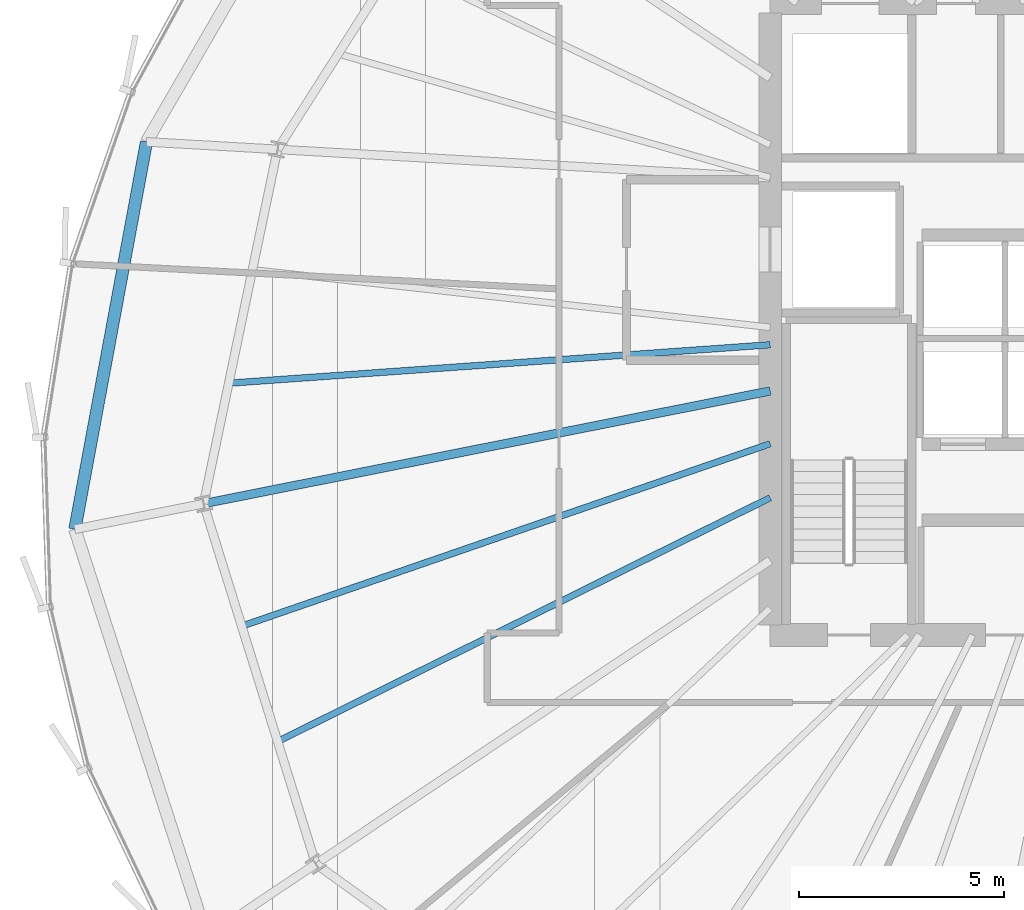
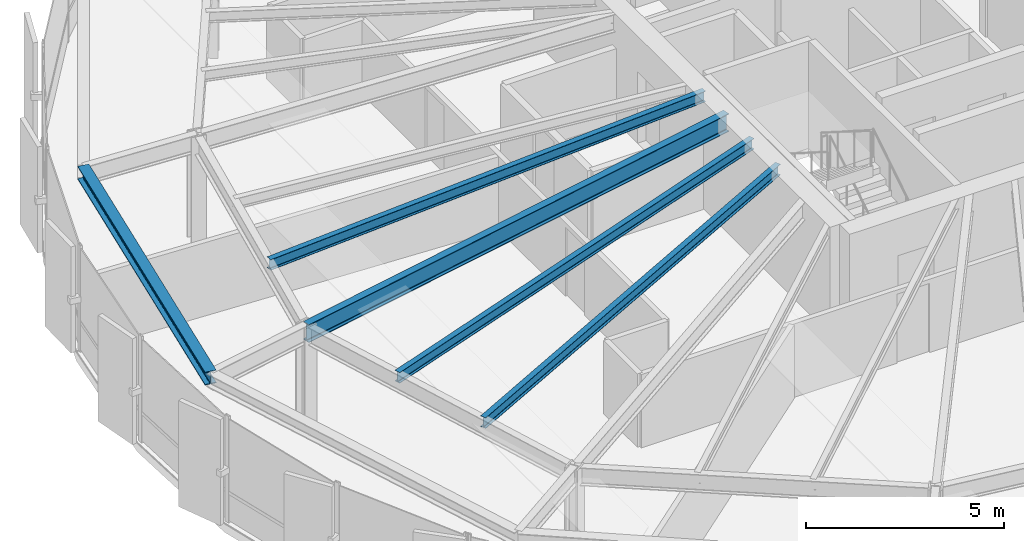
# One storey, part 9 of 32: 5 beams.
"""IFC4 building model written with IfcOpenShell, lengths in metres."""

from ifc_helpers import new_model, si_unit, direction, frame, origin, origin_2d, place, context, subcontext, project, spatial, i_section, extrude, source, transform, mapped, material, material_profile, profile_set, type_object, element, save


model = new_model("IFC4")

# Units and contexts
model_context = context("Model", 3, precision=1e-05, world=origin(), true_north=direction((0.0, 1.0)))
body_context = subcontext(model_context, "Body", "Model", "MODEL_VIEW")
ifc_project = project(units=[si_unit("LENGTHUNIT", "METRE"), si_unit("AREAUNIT", "SQUARE_METRE"), si_unit("VOLUMEUNIT", "CUBIC_METRE"), si_unit("PLANEANGLEUNIT", "RADIAN"), si_unit("MASSUNIT", "GRAM", prefix="KILO"), si_unit("THERMODYNAMICTEMPERATUREUNIT", "KELVIN")], contexts=[model_context])

# Site, building, storey
site_placement = place(None, origin())
site = spatial("IfcSite", under=ifc_project, at=site_placement, CompositionType="ELEMENT")
building_placement = place(site_placement, origin())
building = spatial("IfcBuilding", under=site, at=building_placement, Name="Kethvar Cultural Tower", CompositionType="ELEMENT")
storey_placement = place(building_placement, frame((0.0, 0.0, 160.75)))
storey = spatial("IfcBuildingStorey", under=building, at=storey_placement, Name="L41", CompositionType="ELEMENT", Elevation=160.75)

# Beams
ifc_material = material(Name="Steel S355J2", Category="steel")
ifc_material_profile_1 = material_profile(ifc_material, i_section(OverallWidth=0.2099609375, OverallDepth=0.550048828125, WebThickness=0.010986328125, FlangeThickness=0.01708984375, FilletRadius=0.02392578125, at=origin_2d()), Name="Steel S355J2 — IPE550")
ifc_profile_set_1 = profile_set([ifc_material_profile_1], Name="Steel S355J2 — IPE550")
beam_type_1 = type_object("IfcBeamType", Name="BM-IPE550", PredefinedType="BEAM", material=ifc_profile_set_1)
shared_shape_1 = source(origin(), body_context, "Body", "SweptSolid", [
    extrude(i_section(OverallWidth=0.2099609375, OverallDepth=0.550048828125, WebThickness=0.010986328125, FlangeThickness=0.01708984375, FilletRadius=0.02392578125, at=origin_2d()), origin(), (0.0, 0.0, 1.0), 14.085205078125),
])
beam_1_placement = place(storey_placement, frame((38.0, 26.049560546875, 3.02294921875), z_axis=(-0.98078679373, -0.195082713854, 0.0), x_axis=(0.195082713854, -0.98078679373, 0.0)))
element("IfcBeam", 1, at=beam_1_placement, inside=storey, type_object=beam_type_1, Name="L41 Primary Radial Beam RB-09", PredefinedType="BEAM", context=body_context, shape_type="MappedRepresentation", body=[
    mapped(shared_shape_1, transform((0.0, 0.0, 0.0), scale=1.0)),
])
ifc_material_profile_2 = material_profile(ifc_material, i_section(OverallWidth=0.300048828125, OverallDepth=0.39990234375, WebThickness=0.013427734375, FlangeThickness=0.02392578125, FilletRadius=0.027099609375, at=origin_2d()), Name="Steel S355J2 — HEB400")
ifc_profile_set_2 = profile_set([ifc_material_profile_2], Name="Steel S355J2 — HEB400")
beam_type_2 = type_object("IfcBeamType", Name="BM-SP400", PredefinedType="SPANDREL", material=ifc_profile_set_2)
shared_shape_2 = source(origin(), body_context, "Body", "SweptSolid", [
    extrude(i_section(OverallWidth=0.300048828125, OverallDepth=0.39990234375, WebThickness=0.013427734375, FlangeThickness=0.02392578125, FilletRadius=0.027099609375, at=origin_2d()), origin(), (0.0, 0.0, 1.0), 9.605712890625),
])
beam_2_placement = place(storey_placement, frame((22.793701171875, 32.123046875, 3.097900390625), z_axis=(-0.1818526217, -0.983325797476, 0.0), x_axis=(0.983325797476, -0.1818526217, 0.0)))
element("IfcBeam", 2, at=beam_2_placement, inside=storey, type_object=beam_type_2, Name="L41 Perimeter Spandrel Beam SP-08", PredefinedType="SPANDREL", context=body_context, shape_type="MappedRepresentation", body=[
    mapped(shared_shape_2, transform((0.0, 0.0, 0.0), scale=1.0)),
])
ifc_material_profile_3 = material_profile(ifc_material, i_section(OverallWidth=0.159912109375, OverallDepth=0.330078125, WebThickness=0.007568359375, FlangeThickness=0.011474609375, FilletRadius=0.01806640625, at=origin_2d()), Name="Steel S355J2 — IPE330")
ifc_profile_set_3 = profile_set([ifc_material_profile_3], Name="Steel S355J2 — IPE330")
beam_type_3 = type_object("IfcBeamType", Name="BM-J330", PredefinedType="JOIST", material=ifc_profile_set_3)
shared_shape_3 = source(origin(), body_context, "Body", "SweptSolid", [
    extrude(i_section(OverallWidth=0.159912109375, OverallDepth=0.330078125, WebThickness=0.007568359375, FlangeThickness=0.011474609375, FilletRadius=0.01806640625, at=origin_2d()), origin(), (0.0, 0.0, 1.0), 13.234619140625),
])
beam_3_placement = place(storey_placement, frame((38.0, 27.175537109375, 3.133056640625), z_axis=(-0.997490530945, -0.070800004767, 0.0), x_axis=(0.070800004767, -0.997490530945, 0.0)))
element("IfcBeam", 3, at=beam_3_placement, inside=storey, type_object=beam_type_3, Name="L41 Composite Floor Joist J-08B", PredefinedType="JOIST", context=body_context, shape_type="MappedRepresentation", body=[
    mapped(shared_shape_3, transform((0.0, 0.0, 0.0), scale=1.0)),
])
shared_shape_4 = source(origin(), body_context, "Body", "SweptSolid", [
    extrude(i_section(OverallWidth=0.159912109375, OverallDepth=0.330078125, WebThickness=0.007568359375, FlangeThickness=0.011474609375, FilletRadius=0.01806640625, at=origin_2d()), origin(), (0.0, 0.0, 1.0), 13.630615234375),
])
beam_4_placement = place(storey_placement, frame((38.0, 24.762451171875, 3.133056640625), z_axis=(-0.945269577646, -0.326290400682, 0.0), x_axis=(0.326290400682, -0.945269577646, 0.0)))
element("IfcBeam", 4, at=beam_4_placement, inside=storey, type_object=beam_type_3, Name="L41 Composite Floor Joist J-09A", PredefinedType="JOIST", context=body_context, shape_type="MappedRepresentation", body=[
    mapped(shared_shape_4, transform((0.0, 0.0, 0.0), scale=1.0)),
])
shared_shape_5 = source(origin(), body_context, "Body", "SweptSolid", [
    extrude(i_section(OverallWidth=0.159912109375, OverallDepth=0.330078125, WebThickness=0.007568359375, FlangeThickness=0.011474609375, FilletRadius=0.01806640625, at=origin_2d()), origin(), (0.0, 0.0, 1.0), 13.39892578125),
])
beam_5_placement = place(storey_placement, frame((38.0, 23.44580078125, 3.133056640625), z_axis=(-0.896292467417, -0.44346342899, 0.0), x_axis=(0.44346342899, -0.896292467417, 0.0)))
element("IfcBeam", 5, at=beam_5_placement, inside=storey, type_object=beam_type_3, Name="L41 Composite Floor Joist J-09B", PredefinedType="JOIST", context=body_context, shape_type="MappedRepresentation", body=[
    mapped(shared_shape_5, transform((0.0, 0.0, 0.0), scale=1.0)),
])

save(model, "model.ifc")
